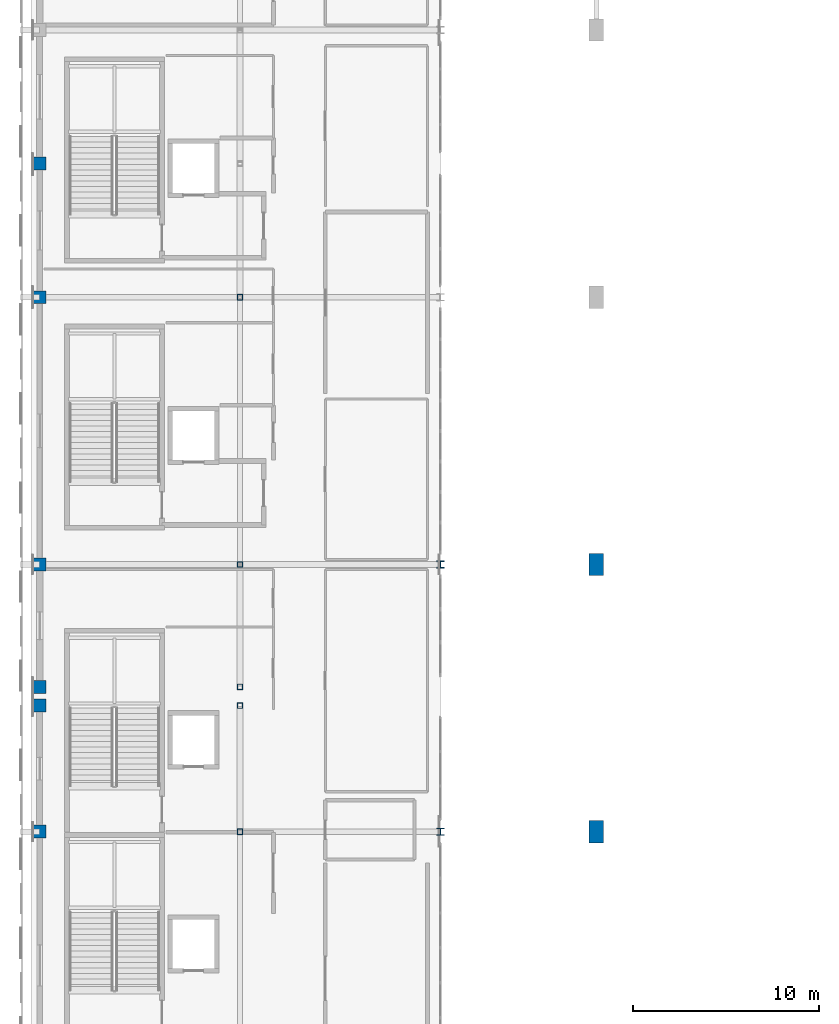
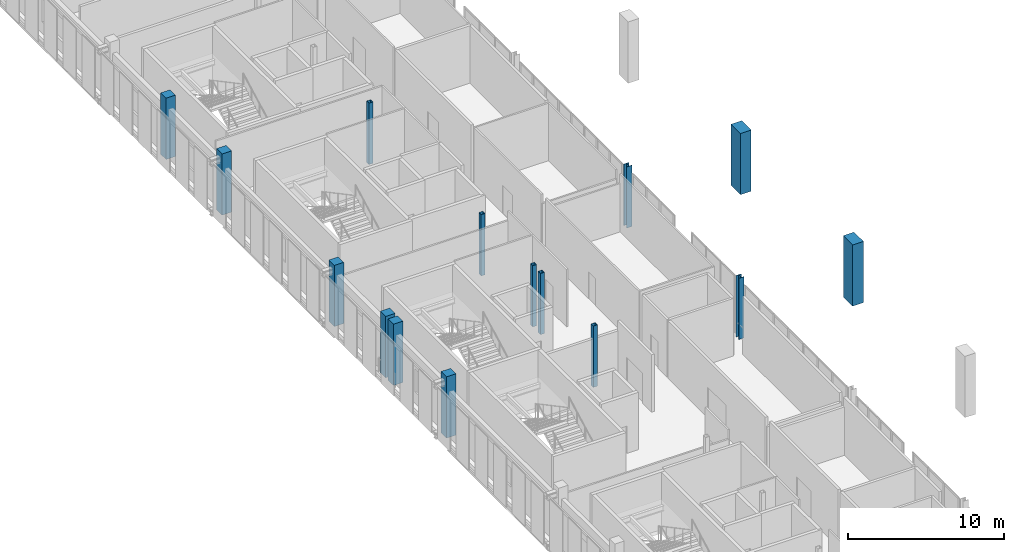
# One storey, part 2 of 51: 15 columns.
"""IFC4 building model written with IfcOpenShell, lengths in metres."""

from ifc_helpers import new_model, si_unit, direction, frame, origin, origin_2d, place, context, subcontext, project, spatial, rectangle, hollow_rectangle, i_section, extrude, material, material_profile, profile_set, type_object, element, save


model = new_model("IFC4")

# Units and contexts
model_context = context("Model", 3, precision=1e-05, world=origin(), true_north=direction((0.0, 1.0)))
body_context = subcontext(model_context, "Body", "Model", "MODEL_VIEW")
ifc_project = project(units=[si_unit("LENGTHUNIT", "METRE"), si_unit("AREAUNIT", "SQUARE_METRE"), si_unit("VOLUMEUNIT", "CUBIC_METRE"), si_unit("PLANEANGLEUNIT", "RADIAN"), si_unit("MASSUNIT", "GRAM", prefix="KILO")], contexts=[model_context])

# Site, building, storey
site_placement = place(None, origin())
site = spatial("IfcSite", under=ifc_project, at=site_placement, CompositionType="ELEMENT")
building_placement = place(site_placement, origin())
building = spatial("IfcBuilding", under=site, at=building_placement, Name="Koshinbarg Plaza Stadium", CompositionType="ELEMENT")
storey_placement = place(building_placement, frame((0.0, 0.0, 24.60009765625)))
storey = spatial("IfcBuildingStorey", under=building, at=storey_placement, Name="L05", CompositionType="ELEMENT", Elevation=24.60009765625)

# Columns
ifc_material_1 = material(Name="Concrete C40/50", Category="concrete")
ifc_material_profile_1 = material_profile(ifc_material_1, rectangle(XDim=0.699951171875, YDim=0.699951171875, at=origin_2d()), Name="RC 700x700")
ifc_profile_set_1 = profile_set([ifc_material_profile_1], Name="Concrete C40/50")
column_type_1 = type_object("IfcColumnType", Name="COL-RC-06", PredefinedType="COLUMN", material=ifc_profile_set_1)
for number, where, z_axis, x_axis, name in (
    (1, (24.60009765625, 68.699951171875, 0.0), (0.0, 0.0, 1.0), (1.0, 0.0, 0.0), "L05 column 5/J"),
    (2, (24.60009765625, 75.5, 0.0), (0.0, 0.0, 1.0), (1.0, 0.0, 0.0), "L05 column 5/K"),
    (3, (24.60009765625, 76.5, 0.0), (0.0, 0.0, 1.0), (1.0, 0.0, 0.0), "L05 column 5/L"),
    (4, (24.60009765625, 83.10009765625, 0.0), (0.0, 0.0, 1.0), (1.0, 0.0, 0.0), "L05 column 5/M"),
    (5, (24.60009765625, 97.5, 0.0), (0.0, 0.0, 1.0), (1.0, 0.0, 0.0), "L05 column 5/N"),
    (6, (24.60009765625, 104.699951171875, 0.0), (0.0, 0.0, 1.0), (1.0, 0.0, 0.0), "L05 column 5/P"),
):
    element("IfcColumn", number, at=place(storey_placement, frame(where, z_axis=z_axis, x_axis=x_axis)), inside=storey, type_object=column_type_1, Name=name, PredefinedType="COLUMN", context=body_context, shape_type="SweptSolid", body=[
        extrude(rectangle(XDim=0.699951171875, YDim=0.699951171875, at=origin_2d()), origin(), (0.0, 0.0, 1.0), 4.7998046875),
    ])
ifc_material_profile_2 = material_profile(ifc_material_1, rectangle(XDim=0.800048828125, YDim=1.199951171875, at=origin_2d()), Name="RC 800x1200")
ifc_profile_set_2 = profile_set([ifc_material_profile_2], Name="Concrete C40/50")
column_type_2 = type_object("IfcColumnType", Name="COL-RC-14", PredefinedType="COLUMN", material=ifc_profile_set_2)
for number, where, z_axis, x_axis, name in (
    (7, (54.60009765625, 68.699951171875, 0.0), (0.0, 0.0, 1.0), (1.0, 0.0, 0.0), "L05 column 8/J"),
    (8, (54.60009765625, 83.10009765625, 0.0), (0.0, 0.0, 1.0), (1.0, 0.0, 0.0), "L05 column 8/M"),
):
    element("IfcColumn", number, at=place(storey_placement, frame(where, z_axis=z_axis, x_axis=x_axis)), inside=storey, type_object=column_type_2, Name=name, PredefinedType="COLUMN", context=body_context, shape_type="SweptSolid", body=[
        extrude(rectangle(XDim=0.800048828125, YDim=1.199951171875, at=origin_2d()), origin(), (0.0, 0.0, 1.0), 4.7998046875),
    ])
ifc_material_2 = material(Name="Steel S355", Category="steel")
ifc_material_profile_3 = material_profile(ifc_material_2, i_section(OverallWidth=0.39501953125, OverallDepth=0.3798828125, WebThickness=0.018798828125, FlangeThickness=0.0302734375, at=origin_2d()), Name="HD 400x237")
ifc_profile_set_3 = profile_set([ifc_material_profile_3], Name="Steel S355")
column_type_3 = type_object("IfcColumnType", Name="COL-STL-01", PredefinedType="COLUMN", material=ifc_profile_set_3)
for number, where, z_axis, x_axis, name in (
    (9, (46.199951171875, 68.699951171875, 0.0), (0.0, 0.0, 1.0), (1.0, 0.0, 0.0), "L05 column 7/J"),
    (10, (46.199951171875, 83.10009765625, 0.0), (0.0, 0.0, 1.0), (1.0, 0.0, 0.0), "L05 column 7/M"),
):
    element("IfcColumn", number, at=place(storey_placement, frame(where, z_axis=z_axis, x_axis=x_axis)), inside=storey, type_object=column_type_3, Name=name, PredefinedType="COLUMN", context=body_context, shape_type="SweptSolid", body=[
        extrude(i_section(OverallWidth=0.39501953125, OverallDepth=0.3798828125, WebThickness=0.018798828125, FlangeThickness=0.0302734375, at=origin_2d()), origin(), (0.0, 0.0, 1.0), 4.7998046875),
    ])
ifc_material_profile_4 = material_profile(ifc_material_2, hollow_rectangle(XDim=0.300048828125, YDim=0.300048828125, WallThickness=0.01611328125, at=origin_2d()), Name="SHS 300x300x16")
ifc_profile_set_4 = profile_set([ifc_material_profile_4], Name="Steel S355")
column_type_4 = type_object("IfcColumnType", Name="COL-STL-06", PredefinedType="COLUMN", material=ifc_profile_set_4)
for number, where, z_axis, x_axis, name in (
    (11, (35.39990234375, 68.699951171875, 0.0), (0.0, 0.0, 1.0), (1.0, 0.0, 0.0), "L05 column 6/J"),
    (12, (35.39990234375, 75.5, 0.0), (0.0, 0.0, 1.0), (1.0, 0.0, 0.0), "L05 column 6/K"),
    (13, (35.39990234375, 76.5, 0.0), (0.0, 0.0, 1.0), (1.0, 0.0, 0.0), "L05 column 6/L"),
    (14, (35.39990234375, 83.10009765625, 0.0), (0.0, 0.0, 1.0), (1.0, 0.0, 0.0), "L05 column 6/M"),
    (15, (35.39990234375, 97.5, 0.0), (0.0, 0.0, 1.0), (1.0, 0.0, 0.0), "L05 column 6/N"),
):
    element("IfcColumn", number, at=place(storey_placement, frame(where, z_axis=z_axis, x_axis=x_axis)), inside=storey, type_object=column_type_4, Name=name, PredefinedType="COLUMN", context=body_context, shape_type="SweptSolid", body=[
        extrude(hollow_rectangle(XDim=0.300048828125, YDim=0.300048828125, WallThickness=0.01611328125, at=origin_2d()), origin(), (0.0, 0.0, 1.0), 4.7998046875),
    ])

save(model, "model.ifc")
